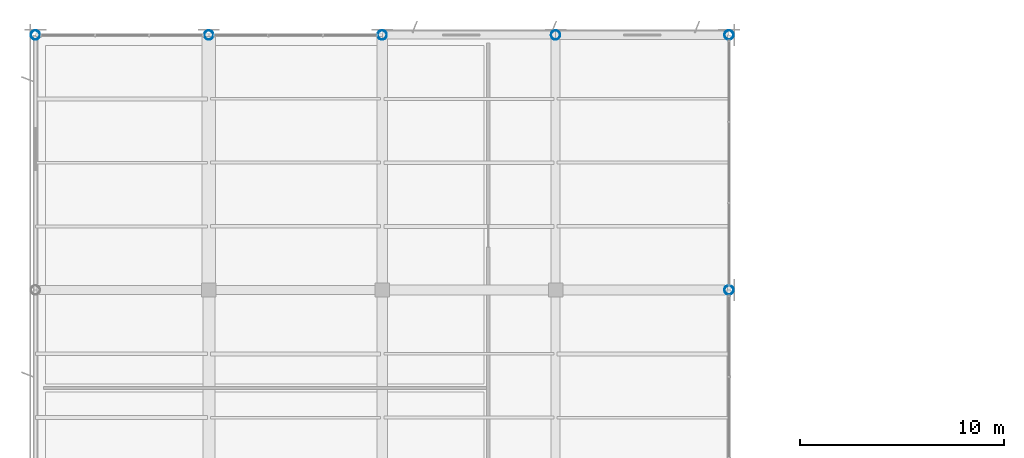
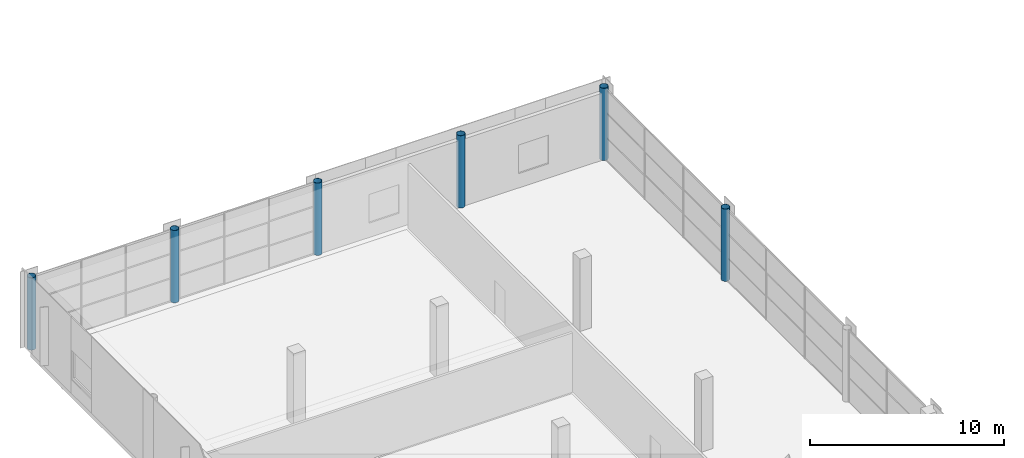
# One storey, part 5 of 112: 6 columns.
"""IFC4 building model written with IfcOpenShell, lengths in metres."""

from ifc_helpers import new_model, si_unit, direction, frame, origin, origin_2d, place, context, subcontext, project, spatial, hollow_circle, extrude, material, material_profile, profile_set, type_object, element, save


model = new_model("IFC4")

# Units and contexts
model_context = context("Model", 3, precision=1e-05, world=origin(), true_north=direction((0.0, 1.0)))
body_context = subcontext(model_context, "Body", "Model", "MODEL_VIEW")
ifc_project = project(units=[si_unit("LENGTHUNIT", "METRE"), si_unit("AREAUNIT", "SQUARE_METRE"), si_unit("VOLUMEUNIT", "CUBIC_METRE"), si_unit("PLANEANGLEUNIT", "RADIAN"), si_unit("MASSUNIT", "GRAM", prefix="KILO")], contexts=[model_context])

# Site, building, storey
site_placement = place(None, origin())
site = spatial("IfcSite", under=ifc_project, at=site_placement, CompositionType="ELEMENT")
building_placement = place(site_placement, origin())
building = spatial("IfcBuilding", under=site, at=building_placement, Name="Solvikara Media Centre", CompositionType="ELEMENT")
storey_placement = place(building_placement, frame((0.0, 0.0, 5.39990234375)))
storey = spatial("IfcBuildingStorey", under=building, at=storey_placement, Name="L01", CompositionType="ELEMENT", Elevation=5.39990234375)

# Columns
ifc_material = material(Name="Steel S355JR", Category="steel")
ifc_material_profile = material_profile(ifc_material, hollow_circle(Radius=0.228515625, WallThickness=0.01611328125, at=origin_2d()), Name="CHS 457x16")
ifc_profile_set = profile_set([ifc_material_profile], Name="Steel S355JR")
column_type = type_object("IfcColumnType", Name="CL-26", PredefinedType="COLUMN", material=ifc_profile_set)
for number, where, z_axis, x_axis, name in (
    (1, (0.0, 114.0, 0.0), (0.0, 0.0, 1.0), (1.0, 0.0, 0.0), "C-L01-0000-1140"),
    (2, (8.5, 114.0, 0.0), (0.0, 0.0, 1.0), (1.0, 0.0, 0.0), "C-L01-0085-1140"),
    (3, (17.0, 114.0, 0.0), (0.0, 0.0, 1.0), (1.0, 0.0, 0.0), "C-L01-0170-1140"),
    (4, (25.5, 114.0, 0.0), (0.0, 0.0, 1.0), (1.0, 0.0, 0.0), "C-L01-0255-1140"),
    (5, (34.0, 101.5, 0.0), (0.0, 0.0, 1.0), (1.0, 0.0, 0.0), "C-L01-0340-1015"),
    (6, (34.0, 114.0, 0.0), (0.0, 0.0, 1.0), (1.0, 0.0, 0.0), "C-L01-0340-1140"),
):
    element("IfcColumn", number, at=place(storey_placement, frame(where, z_axis=z_axis, x_axis=x_axis)), inside=storey, type_object=column_type, Name=name, PredefinedType="COLUMN", context=body_context, shape_type="SweptSolid", body=[
        extrude(hollow_circle(Radius=0.228515625, WallThickness=0.01611328125, at=origin_2d()), origin(), (0.0, 0.0, 1.0), 4.5400390625),
    ])

save(model, "model.ifc")
